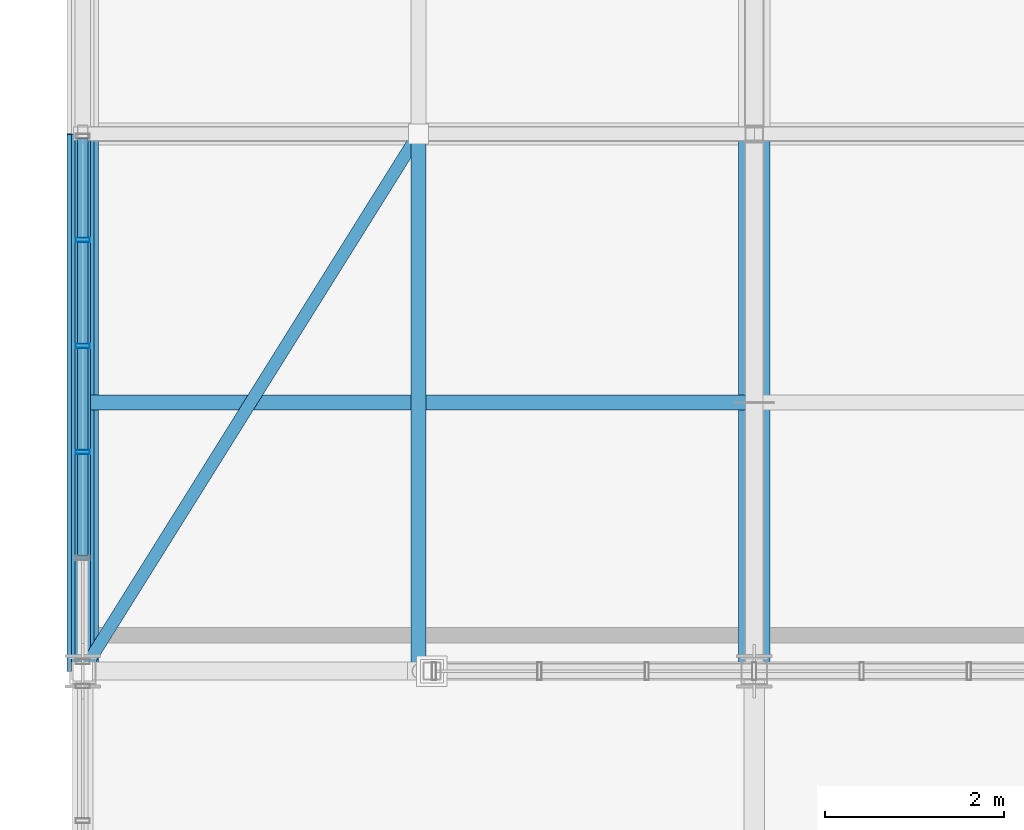
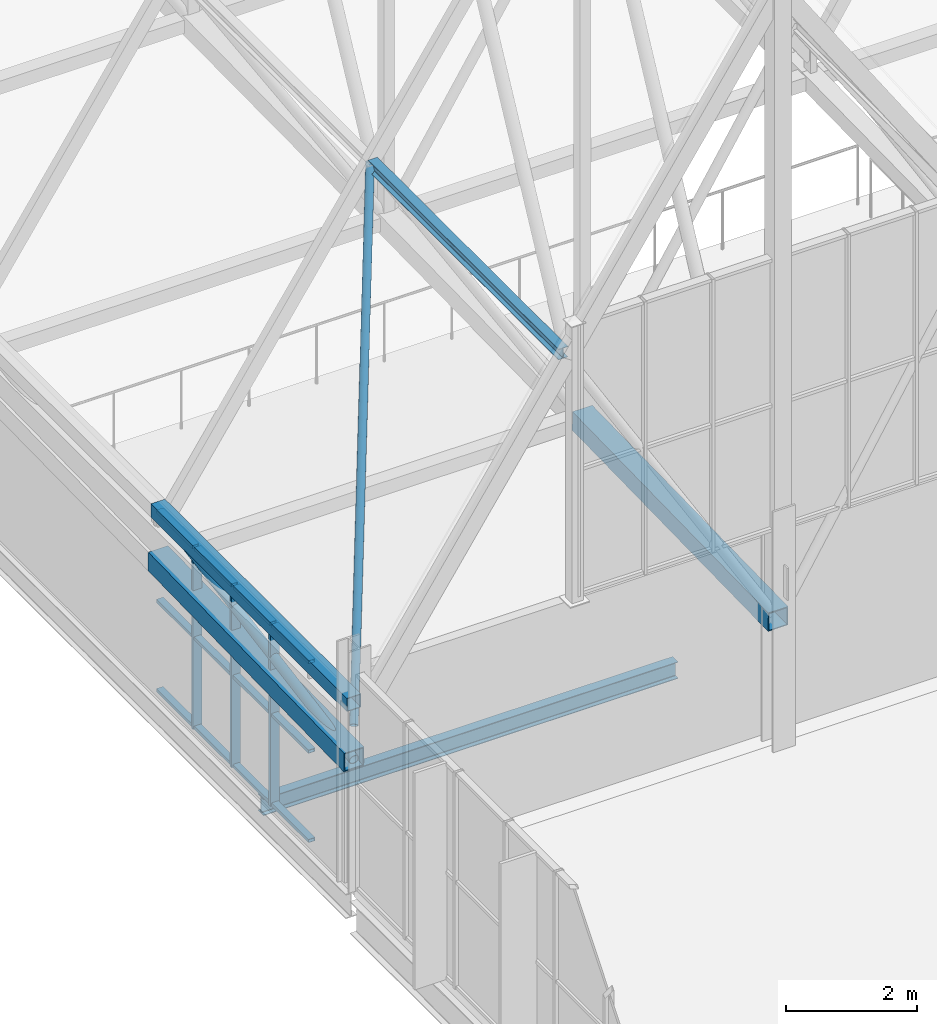
# One storey, part 82 of 324: 20 members, 2 beams, 1 element without a shape of its own.
"""IFC4 building model written with IfcOpenShell, lengths in metres."""

from ifc_helpers import new_model, si_unit, direction, frame, origin, origin_2d, place, context, subcontext, project, spatial, hollow_rectangle, hollow_circle, i_section, extrude, material, layer, layer_set, material_profile, profile_set, type_object, element, aggregate, save


model = new_model("IFC4")

# Units and contexts
model_context = context("Model", 3, precision=1e-05, world=origin(), true_north=direction((0.0, 1.0)))
body_context = subcontext(model_context, "Body", "Model", "MODEL_VIEW")
ifc_project = project(units=[si_unit("LENGTHUNIT", "METRE"), si_unit("AREAUNIT", "SQUARE_METRE"), si_unit("VOLUMEUNIT", "CUBIC_METRE"), si_unit("PLANEANGLEUNIT", "RADIAN"), si_unit("MASSUNIT", "GRAM", prefix="KILO")], contexts=[model_context])

# Site, building, storey
site_placement = place(None, origin())
site = spatial("IfcSite", under=ifc_project, at=site_placement, CompositionType="ELEMENT")
building_placement = place(site_placement, origin())
building = spatial("IfcBuilding", under=site, at=building_placement, Name="Solvenia Promenade Tram Depot", CompositionType="ELEMENT")
storey_placement = place(building_placement, frame((0.0, 0.0, 4.5)))
storey = spatial("IfcBuildingStorey", under=building, at=storey_placement, Name="L01", CompositionType="ELEMENT", Elevation=4.5)

# Curtain wall, members
ifc_material_1 = material(Name="Anodized aluminium AW-6063 T6", Category="aluminium")
ifc_layer = layer(ifc_material_1, 0.159912109375, Name="Anodized aluminium AW-6063 T6", Category="aluminium")
ifc_layer_set = layer_set([ifc_layer], Name="Anodized aluminium AW-6063 T6")
curtain_wall_type = type_object("IfcCurtainWallType", Name="CW-Channel-1200", PredefinedType="NOTDEFINED", material=ifc_layer_set)
curtain_wall_placement = place(storey_placement, origin())
curtain_wall = element("IfcCurtainWall", 1, at=curtain_wall_placement, inside=storey, type_object=curtain_wall_type, Name="Curtain Wall CW-V1W-01", PredefinedType="NOTDEFINED")
ifc_material_profile_1 = material_profile(ifc_material_1, hollow_rectangle(XDim=0.159912109375, YDim=0.052001953125, WallThickness=0.00390625, at=origin_2d()), Name="ALU-M1", Category="aluminium")
ifc_profile_set_1 = profile_set([ifc_material_profile_1], Name="Anodized aluminium AW-6063 T6")
member_type_1 = type_object("IfcMemberType", Name="CWM-Mullion-1", PredefinedType="MULLION", material=ifc_profile_set_1)
member_1_placement = place(storey_placement, frame((0.0, 68.447998046875, 0.0), z_axis=(0.0, 0.0, 1.0), x_axis=(-1.0, 0.0, 0.0)))
member_1 = element("IfcMember", 2, at=member_1_placement, type_object=member_type_1, Name="CW-1 mullion 3", PredefinedType="MULLION", context=body_context, shape_type="SweptSolid", body=[
    extrude(hollow_rectangle(XDim=0.159912109375, YDim=0.052001953125, WallThickness=0.00390625, at=origin_2d()), origin(), (0.0, 0.0, 1.0), 3.39990234375),
])
member_2_placement = place(storey_placement, frame((0.0, 69.632080078125, 0.0), z_axis=(0.0, 0.0, 1.0), x_axis=(-1.0, 0.0, 0.0)))
member_2 = element("IfcMember", 3, at=member_2_placement, type_object=member_type_1, Name="CW-1 mullion 4", PredefinedType="MULLION", context=body_context, shape_type="SweptSolid", body=[
    extrude(hollow_rectangle(XDim=0.159912109375, YDim=0.052001953125, WallThickness=0.00390625, at=origin_2d()), origin(), (0.0, 0.0, 1.0), 3.39990234375),
])
member_3_placement = place(storey_placement, frame((0.0, 70.81591796875, 0.0), z_axis=(0.0, 0.0, 1.0), x_axis=(-1.0, 0.0, 0.0)))
member_3 = element("IfcMember", 4, at=member_3_placement, type_object=member_type_1, Name="CW-1 mullion 5", PredefinedType="MULLION", context=body_context, shape_type="SweptSolid", body=[
    extrude(hollow_rectangle(XDim=0.159912109375, YDim=0.052001953125, WallThickness=0.00390625, at=origin_2d()), origin(), (0.0, 0.0, 1.0), 3.39990234375),
])
ifc_material_profile_2 = material_profile(ifc_material_1, hollow_rectangle(XDim=0.1201171875, YDim=0.06005859375, WallThickness=0.00390625, at=origin_2d()), Name="ALU-T1", Category="aluminium")
ifc_profile_set_2 = profile_set([ifc_material_profile_2], Name="Anodized aluminium AW-6063 T6")
member_type_2 = type_object("IfcMemberType", Name="CWT-Transom-1", PredefinedType="USERDEFINED", material=ifc_profile_set_2)
member_4_placement = place(storey_placement, frame((0.0, 67.2900390625, 0.030029296875), z_axis=(0.0, 1.0, 0.0), x_axis=(-1.0, 0.0, 0.0)))
member_4 = element("IfcMember", 5, at=member_4_placement, type_object=member_type_2, Name="CW-1 transom 2.1", ObjectType="TRANSOM", PredefinedType="USERDEFINED", context=body_context, shape_type="SweptSolid", body=[
    extrude(hollow_rectangle(XDim=0.1201171875, YDim=0.06005859375, WallThickness=0.00390625, at=origin_2d()), origin(), (0.0, 0.0, 1.0), 1.132080078125),
])
member_5_placement = place(storey_placement, frame((0.0, 67.2900390625, 1.699951171875), z_axis=(0.0, 1.0, 0.0), x_axis=(-1.0, 0.0, 0.0)))
member_5 = element("IfcMember", 6, at=member_5_placement, type_object=member_type_2, Name="CW-1 transom 2.2", ObjectType="TRANSOM", PredefinedType="USERDEFINED", context=body_context, shape_type="SweptSolid", body=[
    extrude(hollow_rectangle(XDim=0.1201171875, YDim=0.06005859375, WallThickness=0.00390625, at=origin_2d()), origin(), (0.0, 0.0, 1.0), 1.132080078125),
])
member_6_placement = place(storey_placement, frame((0.0, 67.2900390625, 3.3701171875), z_axis=(0.0, 1.0, 0.0), x_axis=(-1.0, 0.0, 0.0)))
member_6 = element("IfcMember", 7, at=member_6_placement, type_object=member_type_2, Name="CW-1 transom 2.3", ObjectType="TRANSOM", PredefinedType="USERDEFINED", context=body_context, shape_type="SweptSolid", body=[
    extrude(hollow_rectangle(XDim=0.1201171875, YDim=0.06005859375, WallThickness=0.00390625, at=origin_2d()), origin(), (0.0, 0.0, 1.0), 1.132080078125),
])
member_7_placement = place(storey_placement, frame((0.0, 68.47412109375, 0.030029296875), z_axis=(0.0, 1.0, 0.0), x_axis=(-1.0, 0.0, 0.0)))
member_7 = element("IfcMember", 8, at=member_7_placement, type_object=member_type_2, Name="CW-1 transom 3.1", ObjectType="TRANSOM", PredefinedType="USERDEFINED", context=body_context, shape_type="SweptSolid", body=[
    extrude(hollow_rectangle(XDim=0.1201171875, YDim=0.06005859375, WallThickness=0.00390625, at=origin_2d()), origin(), (0.0, 0.0, 1.0), 1.1318359375),
])
member_8_placement = place(storey_placement, frame((0.0, 68.47412109375, 1.699951171875), z_axis=(0.0, 1.0, 0.0), x_axis=(-1.0, 0.0, 0.0)))
member_8 = element("IfcMember", 9, at=member_8_placement, type_object=member_type_2, Name="CW-1 transom 3.2", ObjectType="TRANSOM", PredefinedType="USERDEFINED", context=body_context, shape_type="SweptSolid", body=[
    extrude(hollow_rectangle(XDim=0.1201171875, YDim=0.06005859375, WallThickness=0.00390625, at=origin_2d()), origin(), (0.0, 0.0, 1.0), 1.1318359375),
])
member_9_placement = place(storey_placement, frame((0.0, 68.47412109375, 3.3701171875), z_axis=(0.0, 1.0, 0.0), x_axis=(-1.0, 0.0, 0.0)))
member_9 = element("IfcMember", 10, at=member_9_placement, type_object=member_type_2, Name="CW-1 transom 3.3", ObjectType="TRANSOM", PredefinedType="USERDEFINED", context=body_context, shape_type="SweptSolid", body=[
    extrude(hollow_rectangle(XDim=0.1201171875, YDim=0.06005859375, WallThickness=0.00390625, at=origin_2d()), origin(), (0.0, 0.0, 1.0), 1.1318359375),
])
member_10_placement = place(storey_placement, frame((0.0, 69.657958984375, 0.030029296875), z_axis=(0.0, 1.0, 0.0), x_axis=(-1.0, 0.0, 0.0)))
member_10 = element("IfcMember", 11, at=member_10_placement, type_object=member_type_2, Name="CW-1 transom 4.1", ObjectType="TRANSOM", PredefinedType="USERDEFINED", context=body_context, shape_type="SweptSolid", body=[
    extrude(hollow_rectangle(XDim=0.1201171875, YDim=0.06005859375, WallThickness=0.00390625, at=origin_2d()), origin(), (0.0, 0.0, 1.0), 1.132080078125),
])
member_11_placement = place(storey_placement, frame((0.0, 69.657958984375, 1.699951171875), z_axis=(0.0, 1.0, 0.0), x_axis=(-1.0, 0.0, 0.0)))
member_11 = element("IfcMember", 12, at=member_11_placement, type_object=member_type_2, Name="CW-1 transom 4.2", ObjectType="TRANSOM", PredefinedType="USERDEFINED", context=body_context, shape_type="SweptSolid", body=[
    extrude(hollow_rectangle(XDim=0.1201171875, YDim=0.06005859375, WallThickness=0.00390625, at=origin_2d()), origin(), (0.0, 0.0, 1.0), 1.132080078125),
])
member_12_placement = place(storey_placement, frame((0.0, 69.657958984375, 3.3701171875), z_axis=(0.0, 1.0, 0.0), x_axis=(-1.0, 0.0, 0.0)))
member_12 = element("IfcMember", 13, at=member_12_placement, type_object=member_type_2, Name="CW-1 transom 4.3", ObjectType="TRANSOM", PredefinedType="USERDEFINED", context=body_context, shape_type="SweptSolid", body=[
    extrude(hollow_rectangle(XDim=0.1201171875, YDim=0.06005859375, WallThickness=0.00390625, at=origin_2d()), origin(), (0.0, 0.0, 1.0), 1.132080078125),
])
member_13_placement = place(storey_placement, frame((0.0, 70.842041015625, 0.030029296875), z_axis=(0.0, 1.0, 0.0), x_axis=(-1.0, 0.0, 0.0)))
member_13 = element("IfcMember", 14, at=member_13_placement, type_object=member_type_2, Name="CW-1 transom 5.1", ObjectType="TRANSOM", PredefinedType="USERDEFINED", context=body_context, shape_type="SweptSolid", body=[
    extrude(hollow_rectangle(XDim=0.1201171875, YDim=0.06005859375, WallThickness=0.00390625, at=origin_2d()), origin(), (0.0, 0.0, 1.0), 1.10595703125),
])
member_14_placement = place(storey_placement, frame((0.0, 70.842041015625, 1.699951171875), z_axis=(0.0, 1.0, 0.0), x_axis=(-1.0, 0.0, 0.0)))
member_14 = element("IfcMember", 15, at=member_14_placement, type_object=member_type_2, Name="CW-1 transom 5.2", ObjectType="TRANSOM", PredefinedType="USERDEFINED", context=body_context, shape_type="SweptSolid", body=[
    extrude(hollow_rectangle(XDim=0.1201171875, YDim=0.06005859375, WallThickness=0.00390625, at=origin_2d()), origin(), (0.0, 0.0, 1.0), 1.10595703125),
])
member_15_placement = place(storey_placement, frame((0.0, 70.842041015625, 3.3701171875), z_axis=(0.0, 1.0, 0.0), x_axis=(-1.0, 0.0, 0.0)))
member_15 = element("IfcMember", 16, at=member_15_placement, type_object=member_type_2, Name="CW-1 transom 5.3", ObjectType="TRANSOM", PredefinedType="USERDEFINED", context=body_context, shape_type="SweptSolid", body=[
    extrude(hollow_rectangle(XDim=0.1201171875, YDim=0.06005859375, WallThickness=0.00390625, at=origin_2d()), origin(), (0.0, 0.0, 1.0), 1.10595703125),
])
aggregate(curtain_wall, [member_1, member_2, member_3, member_4, member_5, member_6, member_7, member_8, member_9, member_10, member_11, member_12, member_13, member_14, member_15])

# Members
ifc_material_2 = material(Name="Structural steel ASTM A500 Gr. C", Category="steel")
ifc_material_profile_3 = material_profile(ifc_material_2, hollow_rectangle(XDim=0.25, YDim=0.25, WallThickness=0.010009765625, at=origin_2d()), Name="HSS250x250x10", Category="steel")
ifc_profile_set_3 = profile_set([ifc_material_profile_3], Name="Structural steel ASTM A500 Gr. C")
member_type_3 = type_object("IfcMemberType", Name="Chord-HSS250x250x10", PredefinedType="CHORD", material=ifc_profile_set_3)
member_16_placement = place(storey_placement, frame((0.0, 66.0, 3.3798828125), z_axis=(0.0, 1.0, 0.0), x_axis=(-1.0, 0.0, 0.0)))
element("IfcMember", 17, at=member_16_placement, inside=storey, type_object=member_type_3, Name="Arched Truss T01 Upper Chord S01", PredefinedType="CHORD", context=body_context, shape_type="SweptSolid", body=[
    extrude(hollow_rectangle(XDim=0.25, YDim=0.25, WallThickness=0.010009765625, at=origin_2d()), origin(), (0.0, 0.0, 1.0), 6.0),
])
ifc_material_profile_4 = material_profile(ifc_material_2, hollow_rectangle(XDim=0.35009765625, YDim=0.35009765625, WallThickness=0.01611328125, at=origin_2d()), Name="HSS350x350x16", Category="steel")
ifc_profile_set_4 = profile_set([ifc_material_profile_4], Name="Structural steel ASTM A500 Gr. C")
member_type_4 = type_object("IfcMemberType", Name="Chord-HSS350x350x16", PredefinedType="CHORD", material=ifc_profile_set_4)
for number, where, z_axis, x_axis, name in (
    (18, (0.0, 66.0, 2.320068359375), (0.0, 0.999779654873, 0.020991467363), (-1.0, 0.0, 0.0), "Arched Truss T01 Bottom Chord S01"),
    (19, (7.5, 66.0, 2.320068359375), (0.0, 0.999779654873, 0.020991467363), (-1.0, 0.0, 0.0), "Arched Truss T02 Bottom Chord S01"),
):
    element("IfcMember", number, at=place(storey_placement, frame(where, z_axis=z_axis, x_axis=x_axis)), inside=storey, type_object=member_type_4, Name=name, PredefinedType="CHORD", context=body_context, shape_type="SweptSolid", body=[
        extrude(hollow_rectangle(XDim=0.35009765625, YDim=0.35009765625, WallThickness=0.01611328125, at=origin_2d()), origin(), (0.0, 0.0, 1.0), 6.001220703125),
    ])

# Beams
ifc_material_3 = material(Name="Structural steel ASTM A992 Gr. 50", Category="steel")
ifc_material_profile_5 = material_profile(ifc_material_3, i_section(OverallWidth=0.166015625, OverallDepth=0.31298828125, WebThickness=0.006591796875, FlangeThickness=0.01123046875, FilletRadius=0.010009765625, at=origin_2d()), Name="W310x45", Category="steel")
ifc_profile_set_5 = profile_set([ifc_material_profile_5], Name="Structural steel ASTM A992 Gr. 50")
beam_type_1 = type_object("IfcBeamType", Name="Joist-W310x45", PredefinedType="JOIST", material=ifc_profile_set_5)
beam_1_placement = place(storey_placement, frame((0.0849609375, 69.0, -0.37646484375), z_axis=(1.0, 0.0, 0.0), x_axis=(0.0, 1.0, 0.0)))
element("IfcBeam", 20, at=beam_1_placement, inside=storey, type_object=beam_type_1, Name="Secondary Floor Joist BM-L01-0062", PredefinedType="JOIST", context=body_context, shape_type="SweptSolid", body=[
    extrude(i_section(OverallWidth=0.166015625, OverallDepth=0.31298828125, WebThickness=0.006591796875, FlangeThickness=0.01123046875, FilletRadius=0.010009765625, at=origin_2d()), origin(), (0.0, 0.0, 1.0), 7.330078125),
])
ifc_material_profile_6 = material_profile(ifc_material_3, i_section(OverallWidth=0.1650390625, OverallDepth=0.200927734375, WebThickness=0.006103515625, FlangeThickness=0.01025390625, FilletRadius=0.010009765625, at=origin_2d()), Name="W200x36", Category="steel")
ifc_profile_set_6 = profile_set([ifc_material_profile_6], Name="Structural steel ASTM A992 Gr. 50")
beam_type_2 = type_object("IfcBeamType", Name="Purlin-W200x36", PredefinedType="USERDEFINED", material=ifc_profile_set_6)
beam_2_placement = place(storey_placement, frame((3.75, 66.0849609375, 8.551025390625), z_axis=(0.0, 1.0, 0.0), x_axis=(-1.0, 0.0, 0.0)))
element("IfcBeam", 21, at=beam_2_placement, inside=storey, type_object=beam_type_2, Name="Gable Roof Purlin W-0001", ObjectType="PURLIN", PredefinedType="USERDEFINED", context=body_context, shape_type="SweptSolid", body=[
    extrude(i_section(OverallWidth=0.1650390625, OverallDepth=0.200927734375, WebThickness=0.006103515625, FlangeThickness=0.01025390625, FilletRadius=0.010009765625, at=origin_2d()), origin(), (0.0, 0.0, 1.0), 5.830078125),
])

# Members
ifc_material_profile_7 = material_profile(ifc_material_2, hollow_circle(Radius=0.06982421875, WallThickness=0.00634765625, at=origin_2d()), Name="CHS139.7x6.3", Category="steel")
ifc_profile_set_7 = profile_set([ifc_material_profile_7], Name="Structural steel ASTM A500 Gr. C")
member_type_5 = type_object("IfcMemberType", Name="RoofBrace-CHS140x6", PredefinedType="BRACE", material=ifc_profile_set_7)
member_17_placement = place(storey_placement, frame((0.0, 66.0, 2.95703125), z_axis=(0.415944359548, 0.665510975277, 0.619746263842), x_axis=(-0.847998304005, 0.529998940003, 0.0)))
element("IfcMember", 22, at=member_17_placement, inside=storey, type_object=member_type_5, Name="Roof Plan Wind Brace 001", PredefinedType="BRACE", context=body_context, shape_type="SweptSolid", body=[
    extrude(hollow_circle(Radius=0.06982421875, WallThickness=0.00634765625, at=origin_2d()), origin(), (0.0, 0.0, 1.0), 9.015625),
])
ifc_material_profile_8 = material_profile(ifc_material_2, hollow_circle(Radius=0.084228515625, WallThickness=0.008056640625, at=origin_2d()), Name="CHS168.3x8", Category="steel")
ifc_profile_set_8 = profile_set([ifc_material_profile_8], Name="Structural steel ASTM A500 Gr. C")
member_type_6 = type_object("IfcMemberType", Name="WebDiag-CHS168x8", PredefinedType="BRACE", material=ifc_profile_set_8)
member_18_placement = place(storey_placement, frame((0.0, 66.0, 2.320068359375), z_axis=(0.0, 0.984755712458, 0.173943056143), x_axis=(-1.0, 0.0, 0.0)))
element("IfcMember", 23, at=member_18_placement, inside=storey, type_object=member_type_6, Name="Arched Truss T01 Web Diagonal S01", PredefinedType="BRACE", context=body_context, shape_type="SweptSolid", body=[
    extrude(hollow_circle(Radius=0.084228515625, WallThickness=0.008056640625, at=origin_2d()), origin(), (0.0, 0.0, 1.0), 6.0927734375),
])

save(model, "model.ifc")
